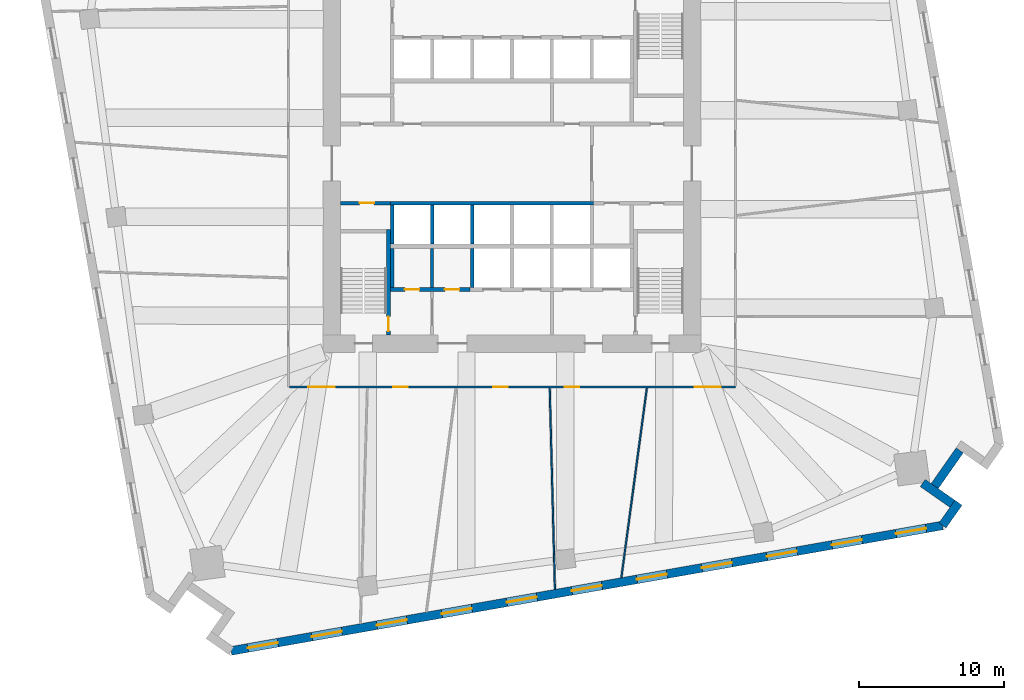
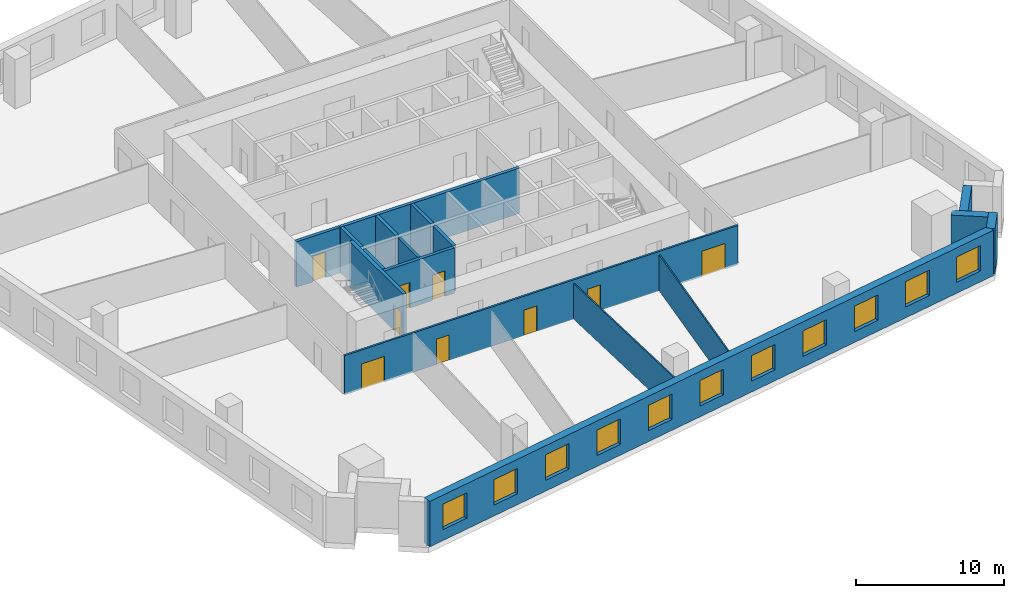
# One storey, part 4 of 10: 17 walls, 11 windows, 9 doors, 20 openings.
"""IFC4 building model written with IfcOpenShell, lengths in metres."""

from ifc_helpers import new_model, si_unit, direction, frame, frame_2d, origin, place, context, subcontext, project, spatial, rectangle, extrude, material, layer, layer_set, type_object, element, fill, save


model = new_model("IFC4")

# Units and contexts
model_context = context("Model", 3, precision=1e-05, world=origin(), true_north=direction((0.0, 1.0)))
body_context = subcontext(model_context, "Body", "Model", "MODEL_VIEW")
ifc_project = project(units=[si_unit("LENGTHUNIT", "METRE"), si_unit("AREAUNIT", "SQUARE_METRE"), si_unit("VOLUMEUNIT", "CUBIC_METRE"), si_unit("PLANEANGLEUNIT", "RADIAN"), si_unit("MASSUNIT", "GRAM", prefix="KILO")], contexts=[model_context])

# Site, building, storey
site_placement = place(None, origin())
site = spatial("IfcSite", under=ifc_project, at=site_placement, CompositionType="ELEMENT")
building_placement = place(site_placement, origin())
building = spatial("IfcBuilding", under=site, at=building_placement, Name="Dilmun Exchange Tower", CompositionType="ELEMENT")
storey_placement = place(building_placement, frame((0.0, 0.0, 63.89990234375)))
storey = spatial("IfcBuildingStorey", under=building, at=storey_placement, Name="L14", CompositionType="ELEMENT", Elevation=63.89990234375)

# Wall
ifc_material_1 = material(Name="Concrete C40/50", Category="concrete")
ifc_layer_1 = layer(ifc_material_1, 0.199951171875)
ifc_layer_set_1 = layer_set([ifc_layer_1], Name="Concrete C40/50")
wall_type_1 = type_object("IfcWallType", Name="Core partition wall 200", PredefinedType="PARTITIONING", material=ifc_layer_set_1)
wall_1_placement = place(storey_placement, frame((-5.5, -8.544921875, 0.0), z_axis=(0.0, 0.0, 1.0), x_axis=(0.0, 1.0, 0.0)))
element("IfcWall", 1, at=wall_1_placement, inside=storey, type_object=wall_type_1, Name="L14 core partition wall 05", PredefinedType="PARTITIONING", context=body_context, shape_type="SweptSolid", body=[
    extrude(rectangle(XDim=2.68994140625, YDim=0.199951171875, at=frame_2d((1.344970703125, 0.0))), origin(), (0.0, 0.0, 1.0), 3.75),
])

# Wall, openings, doors
ifc_layer_2 = layer(ifc_material_1, 0.25)
ifc_layer_set_2 = layer_set([ifc_layer_2], Name="Concrete C40/50")
wall_type_2 = type_object("IfcWallType", Name="Core partition wall 250", PredefinedType="PARTITIONING", material=ifc_layer_set_2)
wall_2_placement = place(storey_placement, frame((-8.3701171875, -8.675048828125, 0.0), z_axis=(0.0, 0.0, 1.0), x_axis=(1.0, 0.0, 0.0)))
wall_2 = element("IfcWall", 2, at=wall_2_placement, inside=storey, type_object=wall_type_2, Name="L14 core partition wall 03", PredefinedType="PARTITIONING", context=body_context, shape_type="SweptSolid", body=[
    extrude(rectangle(XDim=5.490234375, YDim=0.25, at=frame_2d((2.7451171875, 0.0))), origin(), (0.0, 0.0, 1.0), 3.75),
])
opening_1_placement = place(wall_2_placement, frame((0.9951171875, 0.0, 0.0)))
opening_1 = element("IfcOpeningElement", 3, at=opening_1_placement, cuts=wall_2, Name="Opening CD4", PredefinedType="OPENING", context=body_context, shape_type="SweptSolid", body=[
    extrude(rectangle(XDim=1.0, YDim=2.10009765625, at=frame_2d((0.5, 1.050048828125))), frame((0.0, 0.135009765625, 0.0), z_axis=(0.0, -1.0, 0.0), x_axis=(1.0, 0.0, 0.0)), (0.0, 0.0, 1.0), 0.27001953125),
])
opening_2_placement = place(wall_2_placement, frame((3.7451171875, 0.0, 0.0)))
opening_2 = element("IfcOpeningElement", 4, at=opening_2_placement, cuts=wall_2, Name="Opening CD4", PredefinedType="OPENING", context=body_context, shape_type="SweptSolid", body=[
    extrude(rectangle(XDim=1.0, YDim=2.10009765625, at=frame_2d((0.5, 1.050048828125))), frame((0.0, 0.135009765625, 0.0), z_axis=(0.0, -1.0, 0.0), x_axis=(1.0, 0.0, 0.0)), (0.0, 0.0, 1.0), 0.27001953125),
])
ifc_material_2 = material(Name="Fire-rated steel door set", Category="steel")
door_type_1 = type_object("IfcDoorType", Name="Core room door 1000x2100", OperationType="SINGLE_SWING_LEFT", PredefinedType="DOOR", material=ifc_material_2)
door_1_placement = place(opening_1_placement, origin())
door_1 = element("IfcDoor", 5, at=door_1_placement, inside=storey, type_object=door_type_1, Name="L14 door Male WC", OperationType="SINGLE_SWING_LEFT", OverallHeight=2.10009765625, OverallWidth=1.0, PredefinedType="DOOR", context=body_context, shape_type="SweptSolid", body=[
    extrude(rectangle(XDim=1.0, YDim=2.10009765625, at=frame_2d((0.5, 1.050048828125))), frame((0.0, 0.02490234375, 0.0), z_axis=(0.0, -1.0, 0.0), x_axis=(1.0, 0.0, 0.0)), (0.0, 0.0, 1.0), 0.050048828125),
])
fill(opening_1, door_1)
door_2_placement = place(opening_2_placement, origin())
door_2 = element("IfcDoor", 6, at=door_2_placement, inside=storey, type_object=door_type_1, Name="L14 door Female WC", OperationType="SINGLE_SWING_LEFT", OverallHeight=2.10009765625, OverallWidth=1.0, PredefinedType="DOOR", context=body_context, shape_type="SweptSolid", body=[
    extrude(rectangle(XDim=1.0, YDim=2.10009765625, at=frame_2d((0.5, 1.050048828125))), frame((0.0, 0.02490234375, 0.0), z_axis=(0.0, -1.0, 0.0), x_axis=(1.0, 0.0, 0.0)), (0.0, 0.0, 1.0), 0.050048828125),
])
fill(opening_2, door_2)

# Wall
wall_3_placement = place(storey_placement, frame((-8.25, -8.544921875, 0.0), z_axis=(0.0, 0.0, 1.0), x_axis=(0.0, 1.0, 0.0)))
element("IfcWall", 7, at=wall_3_placement, inside=storey, type_object=wall_type_2, Name="L14 core partition wall 04", PredefinedType="PARTITIONING", context=body_context, shape_type="SweptSolid", body=[
    extrude(rectangle(XDim=2.68994140625, YDim=0.25, at=frame_2d((1.344970703125, 0.0))), origin(), (0.0, 0.0, 1.0), 3.75),
])

# Wall, opening, door
wall_4_placement = place(storey_placement, frame((-11.794921875, -2.72509765625, 0.0), z_axis=(0.0, 0.0, 1.0), x_axis=(1.0, 0.0, 0.0)))
wall_4 = element("IfcWall", 8, at=wall_4_placement, inside=storey, type_object=wall_type_2, Name="L14 core partition wall 07", PredefinedType="PARTITIONING", context=body_context, shape_type="SweptSolid", body=[
    extrude(rectangle(XDim=3.4150390625, YDim=0.25, at=frame_2d((1.70751953125, 0.0))), origin(), (0.0, 0.0, 1.0), 3.75),
])
opening_3_placement = place(wall_4_placement, frame((1.294921875, 0.0, 0.0)))
opening_3 = element("IfcOpeningElement", 9, at=opening_3_placement, cuts=wall_4, Name="Opening CD4", PredefinedType="OPENING", context=body_context, shape_type="SweptSolid", body=[
    extrude(rectangle(XDim=1.0, YDim=2.10009765625, at=frame_2d((0.5, 1.050048828125))), frame((0.0, 0.135009765625, 0.0), z_axis=(0.0, -1.0, 0.0), x_axis=(1.0, 0.0, 0.0)), (0.0, 0.0, 1.0), 0.27001953125),
])
door_3_placement = place(opening_3_placement, origin())
door_3 = element("IfcDoor", 10, at=door_3_placement, inside=storey, type_object=door_type_1, Name="L14 door Accessible WC", OperationType="SINGLE_SWING_LEFT", OverallHeight=2.10009765625, OverallWidth=1.0, PredefinedType="DOOR", context=body_context, shape_type="SweptSolid", body=[
    extrude(rectangle(XDim=1.0, YDim=2.10009765625, at=frame_2d((0.5, 1.050048828125))), frame((0.0, 0.02490234375, 0.0), z_axis=(0.0, -1.0, 0.0), x_axis=(1.0, 0.0, 0.0)), (0.0, 0.0, 1.0), 0.050048828125),
])
fill(opening_3, door_3)

# Wall, openings, doors
ifc_material_3 = material(Name="Corridor wall 150")
ifc_layer_3 = layer(ifc_material_3, 0.14990234375)
ifc_layer_set_3 = layer_set([ifc_layer_3], Name="Corridor wall 150")
wall_type_3 = type_object("IfcWallType", Name="Corridor wall 150", PredefinedType="PARTITIONING", material=ifc_layer_set_3)
wall_5_placement = place(storey_placement, frame((-15.324951171875, -15.39990234375, 0.0), z_axis=(0.0, 0.0, 1.0), x_axis=(1.0, 0.0, 0.0)))
wall_5 = element("IfcWall", 11, at=wall_5_placement, inside=storey, type_object=wall_type_3, Name="Corridor wall", PredefinedType="PARTITIONING", context=body_context, shape_type="SweptSolid", body=[
    extrude(rectangle(XDim=30.724853515625, YDim=0.14990234375, at=frame_2d((15.3623046875, 0.0))), origin(), (0.0, 0.0, 1.0), 3.25),
])
opening_4_placement = place(wall_5_placement, frame((1.300048828125, 0.0, 0.0)))
opening_4 = element("IfcOpeningElement", 12, at=opening_4_placement, cuts=wall_5, Name="Opening TF13-D06", PredefinedType="OPENING", context=body_context, shape_type="SweptSolid", body=[
    extrude(rectangle(XDim=1.800048828125, YDim=2.10009765625, at=frame_2d((0.89990234375, 1.050048828125))), frame((0.0, 0.0849609375, 0.0), z_axis=(0.0, -1.0, 0.0), x_axis=(1.0, 0.0, 0.0)), (0.0, 0.0, 1.0), 0.169921875),
])
opening_5_placement = place(wall_5_placement, frame((7.161376953125, 0.0, 0.0)))
opening_5 = element("IfcOpeningElement", 13, at=opening_5_placement, cuts=wall_5, Name="Opening TF13-D08", PredefinedType="OPENING", context=body_context, shape_type="SweptSolid", body=[
    extrude(rectangle(XDim=1.0, YDim=2.10009765625, at=frame_2d((0.5, 1.050048828125))), frame((0.0, 0.0849609375, 0.0), z_axis=(0.0, -1.0, 0.0), x_axis=(1.0, 0.0, 0.0)), (0.0, 0.0, 1.0), 0.169921875),
])
opening_6_placement = place(wall_5_placement, frame((14.0205078125, 0.0, 0.0)))
opening_6 = element("IfcOpeningElement", 14, at=opening_6_placement, cuts=wall_5, Name="Opening TF13-D10", PredefinedType="OPENING", context=body_context, shape_type="SweptSolid", body=[
    extrude(rectangle(XDim=1.0, YDim=2.10009765625, at=frame_2d((0.5, 1.050048828125))), frame((0.0, 0.0849609375, 0.0), z_axis=(0.0, -1.0, 0.0), x_axis=(1.0, 0.0, 0.0)), (0.0, 0.0, 1.0), 0.169921875),
])
opening_7_placement = place(wall_5_placement, frame((18.971435546875, 0.0, 0.0)))
opening_7 = element("IfcOpeningElement", 15, at=opening_7_placement, cuts=wall_5, Name="Opening TF13-D12", PredefinedType="OPENING", context=body_context, shape_type="SweptSolid", body=[
    extrude(rectangle(XDim=1.0, YDim=2.10009765625, at=frame_2d((0.5, 1.050048828125))), frame((0.0, 0.0849609375, 0.0), z_axis=(0.0, -1.0, 0.0), x_axis=(1.0, 0.0, 0.0)), (0.0, 0.0, 1.0), 0.169921875),
])
opening_8_placement = place(wall_5_placement, frame((27.91650390625, 0.0, 0.0)))
opening_8 = element("IfcOpeningElement", 16, at=opening_8_placement, cuts=wall_5, Name="Opening TF13-D15", PredefinedType="OPENING", context=body_context, shape_type="SweptSolid", body=[
    extrude(rectangle(XDim=1.800048828125, YDim=2.10009765625, at=frame_2d((0.89990234375, 1.050048828125))), frame((0.0, 0.0849609375, 0.0), z_axis=(0.0, -1.0, 0.0), x_axis=(1.0, 0.0, 0.0)), (0.0, 0.0, 1.0), 0.169921875),
])
ifc_material_4 = material(Name="Fire door 1000 x 2100")
door_type_2 = type_object("IfcDoorType", Name="Fire door 1000 x 2100", OperationType="NOTDEFINED", PredefinedType="DOOR", material=ifc_material_4)
door_4_placement = place(opening_5_placement, frame((1.0, 0.0, 0.0), z_axis=(0.0, 0.0, 1.0), x_axis=(-1.0, 0.0, 0.0)))
door_4 = element("IfcDoor", 17, at=door_4_placement, inside=storey, type_object=door_type_2, Name="Door TF13-D08", OperationType="SINGLE_SWING_LEFT", OverallHeight=2.10009765625, OverallWidth=1.0, PredefinedType="DOOR", context=body_context, shape_type="SweptSolid", body=[
    extrude(rectangle(XDim=1.0, YDim=2.10009765625, at=frame_2d((0.5, 1.050048828125))), frame((0.0, 0.02490234375, 0.0), z_axis=(0.0, -1.0, 0.0), x_axis=(1.0, 0.0, 0.0)), (0.0, 0.0, 1.0), 0.050048828125),
])
fill(opening_5, door_4)
door_5_placement = place(opening_6_placement, frame((1.0, 0.0, 0.0), z_axis=(0.0, 0.0, 1.0), x_axis=(-1.0, 0.0, 0.0)))
door_5 = element("IfcDoor", 18, at=door_5_placement, inside=storey, type_object=door_type_2, Name="Door TF13-D10", OperationType="SINGLE_SWING_RIGHT", OverallHeight=2.10009765625, OverallWidth=1.0, PredefinedType="DOOR", context=body_context, shape_type="SweptSolid", body=[
    extrude(rectangle(XDim=1.0, YDim=2.10009765625, at=frame_2d((0.5, 1.050048828125))), frame((0.0, 0.02490234375, 0.0), z_axis=(0.0, -1.0, 0.0), x_axis=(1.0, 0.0, 0.0)), (0.0, 0.0, 1.0), 0.050048828125),
])
fill(opening_6, door_5)
door_6_placement = place(opening_7_placement, frame((1.0, 0.0, 0.0), z_axis=(0.0, 0.0, 1.0), x_axis=(-1.0, 0.0, 0.0)))
door_6 = element("IfcDoor", 19, at=door_6_placement, inside=storey, type_object=door_type_2, Name="Door TF13-D12", OperationType="SINGLE_SWING_RIGHT", OverallHeight=2.10009765625, OverallWidth=1.0, PredefinedType="DOOR", context=body_context, shape_type="SweptSolid", body=[
    extrude(rectangle(XDim=1.0, YDim=2.10009765625, at=frame_2d((0.5, 1.050048828125))), frame((0.0, 0.02490234375, 0.0), z_axis=(0.0, -1.0, 0.0), x_axis=(1.0, 0.0, 0.0)), (0.0, 0.0, 1.0), 0.050048828125),
])
fill(opening_7, door_6)
ifc_material_5 = material(Name="Fire door pair 1800 x 2100")
door_type_3 = type_object("IfcDoorType", Name="Fire door pair 1800 x 2100", OperationType="NOTDEFINED", PredefinedType="DOOR", material=ifc_material_5)
door_7_placement = place(opening_4_placement, frame((1.800048828125, 0.0, 0.0), z_axis=(0.0, 0.0, 1.0), x_axis=(-1.0, 0.0, 0.0)))
door_7 = element("IfcDoor", 20, at=door_7_placement, inside=storey, type_object=door_type_3, Name="Door TF13-D06", OperationType="DOUBLE_DOOR_SINGLE_SWING", OverallHeight=2.10009765625, OverallWidth=1.800048828125, PredefinedType="DOOR", context=body_context, shape_type="SweptSolid", body=[
    extrude(rectangle(XDim=1.800048828125, YDim=2.10009765625, at=frame_2d((0.89990234375, 1.050048828125))), frame((0.0, 0.02490234375, 0.0), z_axis=(0.0, -1.0, 0.0), x_axis=(1.0, 0.0, 0.0)), (0.0, 0.0, 1.0), 0.050048828125),
])
fill(opening_4, door_7)
door_8_placement = place(opening_8_placement, frame((1.800048828125, 0.0, 0.0), z_axis=(0.0, 0.0, 1.0), x_axis=(-1.0, 0.0, 0.0)))
door_8 = element("IfcDoor", 21, at=door_8_placement, inside=storey, type_object=door_type_3, Name="Door TF13-D15", OperationType="DOUBLE_DOOR_SINGLE_SWING", OverallHeight=2.10009765625, OverallWidth=1.800048828125, PredefinedType="DOOR", context=body_context, shape_type="SweptSolid", body=[
    extrude(rectangle(XDim=1.800048828125, YDim=2.10009765625, at=frame_2d((0.89990234375, 1.050048828125))), frame((0.0, 0.02490234375, 0.0), z_axis=(0.0, -1.0, 0.0), x_axis=(1.0, 0.0, 0.0)), (0.0, 0.0, 1.0), 0.050048828125),
])
fill(opening_8, door_8)

# Walls
ifc_layer_4 = layer(ifc_material_1, 0.25)
ifc_layer_set_4 = layer_set([ifc_layer_4], Name="Concrete C40/50")
wall_type_4 = type_object("IfcWallType", Name="Lift shaft wall 250", PredefinedType="SOLIDWALL", material=ifc_layer_set_4)
wall_6_placement = place(storey_placement, frame((-8.375, -2.72509765625, 0.0), z_axis=(0.0, 0.0, 1.0), x_axis=(1.0, 0.0, 0.0)))
element("IfcWall", 22, at=wall_6_placement, inside=storey, type_object=wall_type_4, Name="L14 lift shaft front wall S1", PredefinedType="SOLIDWALL", context=body_context, shape_type="SweptSolid", body=[
    extrude(rectangle(XDim=14.0, YDim=0.25, at=frame_2d((7.0, 0.0))), origin(), (0.0, 0.0, 1.0), 3.75),
])
for number, where, z_axis, x_axis, name in (
    (23, (-8.25, -5.550048828125, 0.0), (0.0, 0.0, 1.0), (0.0, 1.0, 0.0), "L14 lift shaft divider S10"),
    (24, (-5.5, -5.550048828125, 0.0), (0.0, 0.0, 1.0), (0.0, 1.0, 0.0), "L14 lift shaft divider S11"),
    (25, (-2.75, -5.550048828125, 0.0), (0.0, 0.0, 1.0), (0.0, 1.0, 0.0), "L14 lift shaft divider S12"),
    (26, (-2.75, -8.550048828125, 0.0), (0.0, 0.0, 1.0), (0.0, 1.0, 0.0), "L14 lift shaft divider S22"),
):
    element("IfcWall", number, at=place(storey_placement, frame(where, z_axis=z_axis, x_axis=x_axis)), inside=storey, type_object=wall_type_4, Name=name, PredefinedType="SOLIDWALL", context=body_context, shape_type="SweptSolid", body=[
        extrude(rectangle(XDim=2.699951171875, YDim=0.25, at=frame_2d((1.35009765625, 0.0))), origin(), (0.0, 0.0, 1.0), 3.75),
    ])
ifc_material_6 = material(Name="Partition 100")
ifc_layer_5 = layer(ifc_material_6, 0.10009765625)
ifc_layer_set_5 = layer_set([ifc_layer_5], Name="Partition 100")
wall_type_5 = type_object("IfcWallType", Name="Partition 100", PredefinedType="PARTITIONING", material=ifc_layer_set_5)
wall_7_placement = place(storey_placement, frame((2.597900390625, -15.476318359375, 0.0), z_axis=(0.0, 0.0, 1.0), x_axis=(0.025790593623, -0.999667367318, 0.0)))
element("IfcWall", 27, at=wall_7_placement, inside=storey, type_object=wall_type_5, Name="Partition", PredefinedType="PARTITIONING", context=body_context, shape_type="SweptSolid", body=[
    extrude(rectangle(XDim=13.858642578125, YDim=0.10009765625, at=frame_2d((6.92919921875, 0.0))), origin(), (0.0, 0.0, 1.0), 2.9501953125),
])
wall_8_placement = place(storey_placement, frame((7.53125, -28.523681640625, 0.0), z_axis=(0.0, 0.0, 1.0), x_axis=(0.133336319453, 0.99107084808, 0.0)))
element("IfcWall", 28, at=wall_8_placement, inside=storey, type_object=wall_type_5, Name="Partition", PredefinedType="PARTITIONING", context=body_context, shape_type="SweptSolid", body=[
    extrude(rectangle(XDim=13.159423828125, YDim=0.10009765625, at=frame_2d((6.57958984375, 0.0))), origin(), (0.0, 0.0, 1.0), 2.9501953125),
])

# Wall, openings, windows
ifc_material_7 = material(Name="Precast concrete C50/60", Category="concrete")
ifc_layer_6 = layer(ifc_material_7, 0.60009765625)
ifc_layer_set_6 = layer_set([ifc_layer_6], Name="Precast concrete C50/60")
wall_type_6 = type_object("IfcWallType", Name="Precast stone-clad wall 600", PredefinedType="STANDARD", material=ifc_layer_set_6)
wall_9_placement = place(storey_placement, frame((-19.340576171875, -33.568359375, 0.0), z_axis=(0.0, 0.0, 1.0), x_axis=(0.984808200104, 0.173645642064, 0.0)))
wall_9 = element("IfcWall", 29, at=wall_9_placement, inside=storey, type_object=wall_type_6, Name="Facade wall L14-15", PredefinedType="STANDARD", context=body_context, shape_type="SweptSolid", body=[
    extrude(rectangle(XDim=49.751708984375, YDim=0.60009765625, at=frame_2d((24.8759765625, 0.0))), origin(), (0.0, 0.0, 1.0), 3.75),
])
opening_9_placement = place(wall_9_placement, frame((1.16064453125, 0.0, 0.89990234375)))
opening_9 = element("IfcOpeningElement", 30, at=opening_9_placement, cuts=wall_9, Name="Opening W210-210", PredefinedType="OPENING", context=body_context, shape_type="SweptSolid", body=[
    extrude(rectangle(XDim=2.10009765625, YDim=2.10009765625, at=frame_2d((1.050048828125, 1.050048828125))), frame((0.0, 0.31005859375, 0.0), z_axis=(0.0, -1.0, 0.0), x_axis=(1.0, 0.0, 0.0)), (0.0, 0.0, 1.0), 0.6201171875),
])
opening_10_placement = place(wall_9_placement, frame((5.643798828125, 0.0, 0.89990234375)))
opening_10 = element("IfcOpeningElement", 31, at=opening_10_placement, cuts=wall_9, Name="Opening W210-210", PredefinedType="OPENING", context=body_context, shape_type="SweptSolid", body=[
    extrude(rectangle(XDim=2.10009765625, YDim=2.10009765625, at=frame_2d((1.050048828125, 1.050048828125))), frame((0.0, 0.31005859375, 0.0), z_axis=(0.0, -1.0, 0.0), x_axis=(1.0, 0.0, 0.0)), (0.0, 0.0, 1.0), 0.6201171875),
])
opening_11_placement = place(wall_9_placement, frame((10.189453125, 0.0, 0.89990234375)))
opening_11 = element("IfcOpeningElement", 32, at=opening_11_placement, cuts=wall_9, Name="Opening W210-210", PredefinedType="OPENING", context=body_context, shape_type="SweptSolid", body=[
    extrude(rectangle(XDim=2.10009765625, YDim=2.10009765625, at=frame_2d((1.050048828125, 1.050048828125))), frame((0.0, 0.31005859375, 0.0), z_axis=(0.0, -1.0, 0.0), x_axis=(1.0, 0.0, 0.0)), (0.0, 0.0, 1.0), 0.6201171875),
])
opening_12_placement = place(wall_9_placement, frame((14.73486328125, 0.0, 0.89990234375)))
opening_12 = element("IfcOpeningElement", 33, at=opening_12_placement, cuts=wall_9, Name="Opening W210-210", PredefinedType="OPENING", context=body_context, shape_type="SweptSolid", body=[
    extrude(rectangle(XDim=2.10009765625, YDim=2.10009765625, at=frame_2d((1.050048828125, 1.050048828125))), frame((0.0, 0.31005859375, 0.0), z_axis=(0.0, -1.0, 0.0), x_axis=(1.0, 0.0, 0.0)), (0.0, 0.0, 1.0), 0.6201171875),
])
opening_13_placement = place(wall_9_placement, frame((19.2802734375, 0.0, 0.89990234375)))
opening_13 = element("IfcOpeningElement", 34, at=opening_13_placement, cuts=wall_9, Name="Opening W210-210", PredefinedType="OPENING", context=body_context, shape_type="SweptSolid", body=[
    extrude(rectangle(XDim=2.10009765625, YDim=2.10009765625, at=frame_2d((1.050048828125, 1.050048828125))), frame((0.0, 0.31005859375, 0.0), z_axis=(0.0, -1.0, 0.0), x_axis=(1.0, 0.0, 0.0)), (0.0, 0.0, 1.0), 0.6201171875),
])
opening_14_placement = place(wall_9_placement, frame((23.82568359375, 0.0, 0.89990234375)))
opening_14 = element("IfcOpeningElement", 35, at=opening_14_placement, cuts=wall_9, Name="Opening W210-210", PredefinedType="OPENING", context=body_context, shape_type="SweptSolid", body=[
    extrude(rectangle(XDim=2.10009765625, YDim=2.10009765625, at=frame_2d((1.050048828125, 1.050048828125))), frame((0.0, 0.31005859375, 0.0), z_axis=(0.0, -1.0, 0.0), x_axis=(1.0, 0.0, 0.0)), (0.0, 0.0, 1.0), 0.6201171875),
])
opening_15_placement = place(wall_9_placement, frame((28.37109375, 0.0, 0.89990234375)))
opening_15 = element("IfcOpeningElement", 36, at=opening_15_placement, cuts=wall_9, Name="Opening W210-210", PredefinedType="OPENING", context=body_context, shape_type="SweptSolid", body=[
    extrude(rectangle(XDim=2.10009765625, YDim=2.10009765625, at=frame_2d((1.050048828125, 1.050048828125))), frame((0.0, 0.31005859375, 0.0), z_axis=(0.0, -1.0, 0.0), x_axis=(1.0, 0.0, 0.0)), (0.0, 0.0, 1.0), 0.6201171875),
])
opening_16_placement = place(wall_9_placement, frame((32.91650390625, 0.0, 0.89990234375)))
opening_16 = element("IfcOpeningElement", 37, at=opening_16_placement, cuts=wall_9, Name="Opening W210-210", PredefinedType="OPENING", context=body_context, shape_type="SweptSolid", body=[
    extrude(rectangle(XDim=2.10009765625, YDim=2.10009765625, at=frame_2d((1.050048828125, 1.050048828125))), frame((0.0, 0.31005859375, 0.0), z_axis=(0.0, -1.0, 0.0), x_axis=(1.0, 0.0, 0.0)), (0.0, 0.0, 1.0), 0.6201171875),
])
opening_17_placement = place(wall_9_placement, frame((37.462158203125, 0.0, 0.89990234375)))
opening_17 = element("IfcOpeningElement", 38, at=opening_17_placement, cuts=wall_9, Name="Opening W210-210", PredefinedType="OPENING", context=body_context, shape_type="SweptSolid", body=[
    extrude(rectangle(XDim=2.10009765625, YDim=2.10009765625, at=frame_2d((1.050048828125, 1.050048828125))), frame((0.0, 0.31005859375, 0.0), z_axis=(0.0, -1.0, 0.0), x_axis=(1.0, 0.0, 0.0)), (0.0, 0.0, 1.0), 0.6201171875),
])
opening_18_placement = place(wall_9_placement, frame((42.007568359375, 0.0, 0.89990234375)))
opening_18 = element("IfcOpeningElement", 39, at=opening_18_placement, cuts=wall_9, Name="Opening W210-210", PredefinedType="OPENING", context=body_context, shape_type="SweptSolid", body=[
    extrude(rectangle(XDim=2.10009765625, YDim=2.10009765625, at=frame_2d((1.050048828125, 1.050048828125))), frame((0.0, 0.31005859375, 0.0), z_axis=(0.0, -1.0, 0.0), x_axis=(1.0, 0.0, 0.0)), (0.0, 0.0, 1.0), 0.6201171875),
])
opening_19_placement = place(wall_9_placement, frame((46.490966796875, 0.0, 0.89990234375)))
opening_19 = element("IfcOpeningElement", 40, at=opening_19_placement, cuts=wall_9, Name="Opening W210-210", PredefinedType="OPENING", context=body_context, shape_type="SweptSolid", body=[
    extrude(rectangle(XDim=2.10009765625, YDim=2.10009765625, at=frame_2d((1.050048828125, 1.050048828125))), frame((0.0, 0.31005859375, 0.0), z_axis=(0.0, -1.0, 0.0), x_axis=(1.0, 0.0, 0.0)), (0.0, 0.0, 1.0), 0.6201171875),
])
ifc_material_8 = material(Name="Clear low-emissivity glass in aluminium frame", Category="aluminium")
window_type = type_object("IfcWindowType", Name="Punched window 2100 x 2100", PartitioningType="DOUBLE_PANEL_VERTICAL", PredefinedType="WINDOW", material=ifc_material_8)
window_1_placement = place(opening_9_placement, origin())
window_1 = element("IfcWindow", 41, at=window_1_placement, inside=storey, type_object=window_type, Name="Window 16.1", OverallHeight=2.10009765625, OverallWidth=2.10009765625, PartitioningType="SINGLE_PANEL", PredefinedType="WINDOW", context=body_context, shape_type="SweptSolid", body=[
    extrude(rectangle(XDim=2.10009765625, YDim=2.10009765625, at=frame_2d((1.050048828125, 1.050048828125))), frame((0.0, 0.030029296875, 0.0), z_axis=(0.0, -1.0, 0.0), x_axis=(1.0, 0.0, 0.0)), (0.0, 0.0, 1.0), 0.06005859375),
])
fill(opening_9, window_1)
window_2_placement = place(opening_10_placement, origin())
window_2 = element("IfcWindow", 42, at=window_2_placement, inside=storey, type_object=window_type, Name="Window 16.2", OverallHeight=2.10009765625, OverallWidth=2.10009765625, PartitioningType="SINGLE_PANEL", PredefinedType="WINDOW", context=body_context, shape_type="SweptSolid", body=[
    extrude(rectangle(XDim=2.10009765625, YDim=2.10009765625, at=frame_2d((1.050048828125, 1.050048828125))), frame((0.0, 0.030029296875, 0.0), z_axis=(0.0, -1.0, 0.0), x_axis=(1.0, 0.0, 0.0)), (0.0, 0.0, 1.0), 0.06005859375),
])
fill(opening_10, window_2)
window_3_placement = place(opening_11_placement, origin())
window_3 = element("IfcWindow", 43, at=window_3_placement, inside=storey, type_object=window_type, Name="Window 16.3", OverallHeight=2.10009765625, OverallWidth=2.10009765625, PartitioningType="SINGLE_PANEL", PredefinedType="WINDOW", context=body_context, shape_type="SweptSolid", body=[
    extrude(rectangle(XDim=2.10009765625, YDim=2.10009765625, at=frame_2d((1.050048828125, 1.050048828125))), frame((0.0, 0.030029296875, 0.0), z_axis=(0.0, -1.0, 0.0), x_axis=(1.0, 0.0, 0.0)), (0.0, 0.0, 1.0), 0.06005859375),
])
fill(opening_11, window_3)
window_4_placement = place(opening_12_placement, origin())
window_4 = element("IfcWindow", 44, at=window_4_placement, inside=storey, type_object=window_type, Name="Window 16.4", OverallHeight=2.10009765625, OverallWidth=2.10009765625, PartitioningType="SINGLE_PANEL", PredefinedType="WINDOW", context=body_context, shape_type="SweptSolid", body=[
    extrude(rectangle(XDim=2.10009765625, YDim=2.10009765625, at=frame_2d((1.050048828125, 1.050048828125))), frame((0.0, 0.030029296875, 0.0), z_axis=(0.0, -1.0, 0.0), x_axis=(1.0, 0.0, 0.0)), (0.0, 0.0, 1.0), 0.06005859375),
])
fill(opening_12, window_4)
window_5_placement = place(opening_13_placement, origin())
window_5 = element("IfcWindow", 45, at=window_5_placement, inside=storey, type_object=window_type, Name="Window 16.5", OverallHeight=2.10009765625, OverallWidth=2.10009765625, PartitioningType="SINGLE_PANEL", PredefinedType="WINDOW", context=body_context, shape_type="SweptSolid", body=[
    extrude(rectangle(XDim=2.10009765625, YDim=2.10009765625, at=frame_2d((1.050048828125, 1.050048828125))), frame((0.0, 0.030029296875, 0.0), z_axis=(0.0, -1.0, 0.0), x_axis=(1.0, 0.0, 0.0)), (0.0, 0.0, 1.0), 0.06005859375),
])
fill(opening_13, window_5)
window_6_placement = place(opening_14_placement, origin())
window_6 = element("IfcWindow", 46, at=window_6_placement, inside=storey, type_object=window_type, Name="Window 16.6", OverallHeight=2.10009765625, OverallWidth=2.10009765625, PartitioningType="SINGLE_PANEL", PredefinedType="WINDOW", context=body_context, shape_type="SweptSolid", body=[
    extrude(rectangle(XDim=2.10009765625, YDim=2.10009765625, at=frame_2d((1.050048828125, 1.050048828125))), frame((0.0, 0.030029296875, 0.0), z_axis=(0.0, -1.0, 0.0), x_axis=(1.0, 0.0, 0.0)), (0.0, 0.0, 1.0), 0.06005859375),
])
fill(opening_14, window_6)
window_7_placement = place(opening_15_placement, origin())
window_7 = element("IfcWindow", 47, at=window_7_placement, inside=storey, type_object=window_type, Name="Window 16.7", OverallHeight=2.10009765625, OverallWidth=2.10009765625, PartitioningType="SINGLE_PANEL", PredefinedType="WINDOW", context=body_context, shape_type="SweptSolid", body=[
    extrude(rectangle(XDim=2.10009765625, YDim=2.10009765625, at=frame_2d((1.050048828125, 1.050048828125))), frame((0.0, 0.030029296875, 0.0), z_axis=(0.0, -1.0, 0.0), x_axis=(1.0, 0.0, 0.0)), (0.0, 0.0, 1.0), 0.06005859375),
])
fill(opening_15, window_7)
window_8_placement = place(opening_16_placement, origin())
window_8 = element("IfcWindow", 48, at=window_8_placement, inside=storey, type_object=window_type, Name="Window 16.8", OverallHeight=2.10009765625, OverallWidth=2.10009765625, PartitioningType="SINGLE_PANEL", PredefinedType="WINDOW", context=body_context, shape_type="SweptSolid", body=[
    extrude(rectangle(XDim=2.10009765625, YDim=2.10009765625, at=frame_2d((1.050048828125, 1.050048828125))), frame((0.0, 0.030029296875, 0.0), z_axis=(0.0, -1.0, 0.0), x_axis=(1.0, 0.0, 0.0)), (0.0, 0.0, 1.0), 0.06005859375),
])
fill(opening_16, window_8)
window_9_placement = place(opening_17_placement, origin())
window_9 = element("IfcWindow", 49, at=window_9_placement, inside=storey, type_object=window_type, Name="Window 16.9", OverallHeight=2.10009765625, OverallWidth=2.10009765625, PartitioningType="SINGLE_PANEL", PredefinedType="WINDOW", context=body_context, shape_type="SweptSolid", body=[
    extrude(rectangle(XDim=2.10009765625, YDim=2.10009765625, at=frame_2d((1.050048828125, 1.050048828125))), frame((0.0, 0.030029296875, 0.0), z_axis=(0.0, -1.0, 0.0), x_axis=(1.0, 0.0, 0.0)), (0.0, 0.0, 1.0), 0.06005859375),
])
fill(opening_17, window_9)
window_10_placement = place(opening_18_placement, origin())
window_10 = element("IfcWindow", 50, at=window_10_placement, inside=storey, type_object=window_type, Name="Window 16.10", OverallHeight=2.10009765625, OverallWidth=2.10009765625, PartitioningType="SINGLE_PANEL", PredefinedType="WINDOW", context=body_context, shape_type="SweptSolid", body=[
    extrude(rectangle(XDim=2.10009765625, YDim=2.10009765625, at=frame_2d((1.050048828125, 1.050048828125))), frame((0.0, 0.030029296875, 0.0), z_axis=(0.0, -1.0, 0.0), x_axis=(1.0, 0.0, 0.0)), (0.0, 0.0, 1.0), 0.06005859375),
])
fill(opening_18, window_10)
window_11_placement = place(opening_19_placement, origin())
window_11 = element("IfcWindow", 51, at=window_11_placement, inside=storey, type_object=window_type, Name="Window 16.11", OverallHeight=2.10009765625, OverallWidth=2.10009765625, PartitioningType="SINGLE_PANEL", PredefinedType="WINDOW", context=body_context, shape_type="SweptSolid", body=[
    extrude(rectangle(XDim=2.10009765625, YDim=2.10009765625, at=frame_2d((1.050048828125, 1.050048828125))), frame((0.0, 0.030029296875, 0.0), z_axis=(0.0, -1.0, 0.0), x_axis=(1.0, 0.0, 0.0)), (0.0, 0.0, 1.0), 0.06005859375),
])
fill(opening_19, window_11)

# Walls
wall_10_placement = place(storey_placement, frame((29.6552734375, -24.92919921875, 0.0), z_axis=(0.0, 0.0, 1.0), x_axis=(0.573539498447, 0.819177907247, 0.0)))
element("IfcWall", 52, at=wall_10_placement, inside=storey, type_object=wall_type_6, Name="Facade wall L14-16", PredefinedType="STANDARD", context=body_context, shape_type="SweptSolid", body=[
    extrude(rectangle(XDim=1.911376953125, YDim=0.60009765625, at=frame_2d((0.95556640625, 0.0))), origin(), (0.0, 0.0, 1.0), 3.75),
])
wall_11_placement = place(storey_placement, frame((30.33349609375, -23.437255859375, 0.0), z_axis=(0.0, 0.0, 1.0), x_axis=(-0.819144688946, 0.573586940727, 0.0)))
element("IfcWall", 53, at=wall_11_placement, inside=storey, type_object=wall_type_6, Name="Facade wall L14-17", PredefinedType="STANDARD", context=body_context, shape_type="SweptSolid", body=[
    extrude(rectangle(XDim=2.49853515625, YDim=0.60009765625, at=frame_2d((1.249267578125, 0.0))), origin(), (0.0, 0.0, 1.0), 3.75),
])
wall_12_placement = place(storey_placement, frame((29.113037109375, -22.21630859375, 0.0), z_axis=(0.0, 0.0, 1.0), x_axis=(0.573615254604, 0.819124862085, 0.0)))
element("IfcWall", 54, at=wall_12_placement, inside=storey, type_object=wall_type_6, Name="Facade wall L14-18", PredefinedType="STANDARD", context=body_context, shape_type="SweptSolid", body=[
    extrude(rectangle(XDim=3.000244140625, YDim=0.60009765625, at=frame_2d((1.5, 0.0))), origin(), (0.0, 0.0, 1.0), 3.75),
])

# Wall, opening, door
ifc_layer_7 = layer(ifc_material_1, 0.27490234375)
ifc_layer_set_7 = layer_set([ifc_layer_7], Name="Concrete C40/50")
wall_type_7 = type_object("IfcWallType", Name="Stair wall 275", PredefinedType="SOLIDWALL", material=ifc_layer_set_7)
wall_13_placement = place(storey_placement, frame((-8.512451171875, -4.550048828125, 0.0), z_axis=(0.0, 0.0, 1.0), x_axis=(0.0, -1.0, 0.0)))
wall_13 = element("IfcWall", 55, at=wall_13_placement, inside=storey, type_object=wall_type_7, Name="L14 ST2 wall to lift block", PredefinedType="SOLIDWALL", context=body_context, shape_type="SweptSolid", body=[
    extrude(rectangle(XDim=7.25, YDim=0.27490234375, at=frame_2d((3.625, 0.0))), origin(), (0.0, 0.0, 1.0), 3.75),
])
opening_20_placement = place(wall_13_placement, frame((6.0, 0.0, 0.0)))
opening_20 = element("IfcOpeningElement", 56, at=opening_20_placement, cuts=wall_13, Name="Opening CD4", PredefinedType="OPENING", context=body_context, shape_type="SweptSolid", body=[
    extrude(rectangle(XDim=1.0, YDim=2.10009765625, at=frame_2d((0.5, 1.050048828125))), frame((0.0, 0.1474609375, 0.0), z_axis=(0.0, -1.0, 0.0), x_axis=(1.0, 0.0, 0.0)), (0.0, 0.0, 1.0), 0.294921875),
])
door_9_placement = place(opening_20_placement, origin())
door_9 = element("IfcDoor", 57, at=door_9_placement, inside=storey, type_object=door_type_1, Name="L14 door ST2 from lobby", OperationType="SINGLE_SWING_LEFT", OverallHeight=2.10009765625, OverallWidth=1.0, PredefinedType="DOOR", context=body_context, shape_type="SweptSolid", body=[
    extrude(rectangle(XDim=1.0, YDim=2.10009765625, at=frame_2d((0.5, 1.050048828125))), frame((0.0, 0.02490234375, 0.0), z_axis=(0.0, -1.0, 0.0), x_axis=(1.0, 0.0, 0.0)), (0.0, 0.0, 1.0), 0.050048828125),
])
fill(opening_20, door_9)

save(model, "model.ifc")
